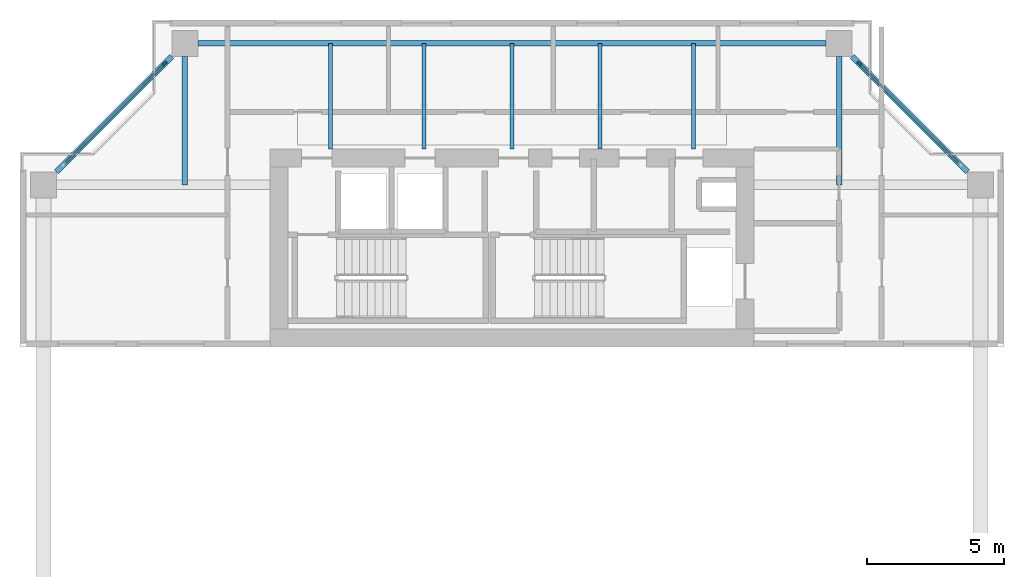
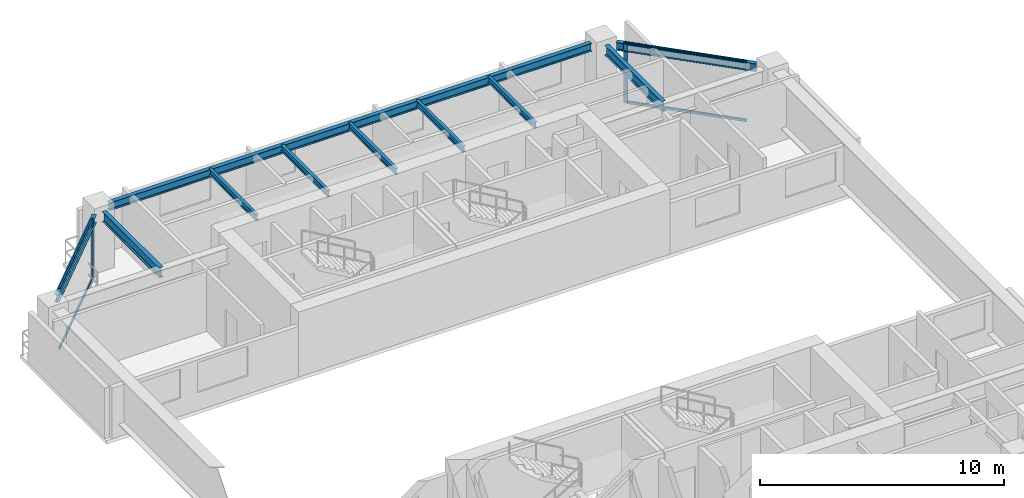
# One storey, part 5 of 12: 10 beams, 6 members, 2 elements without a shape of their own.
"""IFC4 building model written with IfcOpenShell, lengths in metres."""

from ifc_helpers import new_model, si_unit, direction, frame, origin, origin_2d, place, context, subcontext, project, spatial, rectangle, i_section, extrude, source, transform, mapped, material, layer, layer_set, material_profile, profile_set, type_object, element, aggregate, save


model = new_model("IFC4")

# Units and contexts
model_context = context("Model", 3, precision=1e-05, world=origin(), true_north=direction((0.0, 1.0)))
body_context = subcontext(model_context, "Body", "Model", "MODEL_VIEW")
ifc_project = project(units=[si_unit("LENGTHUNIT", "METRE"), si_unit("AREAUNIT", "SQUARE_METRE"), si_unit("VOLUMEUNIT", "CUBIC_METRE"), si_unit("PLANEANGLEUNIT", "RADIAN"), si_unit("MASSUNIT", "GRAM", prefix="KILO"), si_unit("THERMODYNAMICTEMPERATUREUNIT", "KELVIN"), si_unit("POWERUNIT", "WATT")], contexts=[model_context])

# Site, building, storey
site_placement = place(None, origin())
site = spatial("IfcSite", under=ifc_project, at=site_placement, CompositionType="ELEMENT")
building_placement = place(site_placement, origin())
building = spatial("IfcBuilding", under=site, at=building_placement, Name="Qiaomeng Ring Towers", CompositionType="ELEMENT")
storey_placement = place(building_placement, frame((0.0, 0.0, 169.75)))
storey = spatial("IfcBuildingStorey", under=building, at=storey_placement, Name="L49", CompositionType="ELEMENT", Elevation=169.75)

# Beams
ifc_material_1 = material(Name="Steel Q355B", Category="steel")
ifc_material_profile_1 = material_profile(ifc_material_1, i_section(OverallWidth=0.14990234375, OverallDepth=0.300048828125, WebThickness=0.006591796875, FlangeThickness=0.009033203125, FilletRadius=0.012939453125, at=origin_2d()), Name="HN 300x150x6.5x9")
ifc_profile_set_1 = profile_set([ifc_material_profile_1], Name="Steel Q355B")
beam_type_1 = type_object("IfcBeamType", Name="STR-BM-HN300", PredefinedType="JOIST", material=ifc_profile_set_1)
shared_shape_1 = source(origin(), body_context, "Body", "SweptSolid", [
    extrude(i_section(OverallWidth=0.14990234375, OverallDepth=0.300048828125, WebThickness=0.006591796875, FlangeThickness=0.009033203125, FilletRadius=0.012939453125, at=origin_2d()), origin(), (0.0, 0.0, 1.0), 3.85009765625),
])
for number, where, z_axis, x_axis, name in (
    (1, (12.39990234375, 36.199951171875, 2.85009765625), (0.0, 1.0, 0.0), (-1.0, 0.0, 0.0), "L49 beam STR-JST-L49-T1N-1"),
    (2, (15.800048828125, 36.199951171875, 2.85009765625), (0.0, 1.0, 0.0), (-1.0, 0.0, 0.0), "L49 beam STR-JST-L49-T1N-2"),
    (3, (19.0, 36.199951171875, 2.85009765625), (0.0, 1.0, 0.0), (-1.0, 0.0, 0.0), "L49 beam STR-JST-L49-T1N-3"),
    (4, (22.199951171875, 36.199951171875, 2.85009765625), (0.0, 1.0, 0.0), (-1.0, 0.0, 0.0), "L49 beam STR-JST-L49-T1N-4"),
    (5, (25.60009765625, 36.199951171875, 2.85009765625), (0.0, 1.0, 0.0), (-1.0, 0.0, 0.0), "L49 beam STR-JST-L49-T1N-5"),
):
    element("IfcBeam", number, at=place(storey_placement, frame(where, z_axis=z_axis, x_axis=x_axis)), inside=storey, type_object=beam_type_1, Name=name, PredefinedType="JOIST", context=body_context, shape_type="MappedRepresentation", body=[
        mapped(shared_shape_1, transform((0.0, 0.0, 0.0), x_axis=(1.0, 0.0, 0.0), y_axis=(0.0, 1.0, 0.0), z_axis=(0.0, 0.0, 1.0), scale=1.0)),
    ])
ifc_material_profile_2 = material_profile(ifc_material_1, i_section(OverallWidth=0.199951171875, OverallDepth=0.39990234375, WebThickness=0.008056640625, FlangeThickness=0.012939453125, FilletRadius=0.01611328125, at=origin_2d()), Name="HN 400x200x8x13")
ifc_profile_set_2 = profile_set([ifc_material_profile_2], Name="Steel Q355B")
beam_type_2 = type_object("IfcBeamType", Name="STR-BM-HN400", PredefinedType="SPANDREL", material=ifc_profile_set_2)
shared_shape_2 = source(origin(), body_context, "Body", "SweptSolid", [
    extrude(i_section(OverallWidth=0.199951171875, OverallDepth=0.39990234375, WebThickness=0.008056640625, FlangeThickness=0.012939453125, FilletRadius=0.01611328125, at=origin_2d()), origin(), (0.0, 0.0, 1.0), 22.85205078125),
])
beam_placement = place(storey_placement, frame((30.426025390625, 40.050048828125, 2.800048828125), z_axis=(-1.0, 0.0, 0.0), x_axis=(0.0, -1.0, 0.0)))
element("IfcBeam", 6, at=beam_placement, inside=storey, type_object=beam_type_2, Name="L49 beam STR-SP-L49-T1-N2-N1", PredefinedType="SPANDREL", context=body_context, shape_type="MappedRepresentation", body=[
    mapped(shared_shape_2, transform((0.0, 0.0, 0.0), x_axis=(1.0, 0.0, 0.0), y_axis=(0.0, 1.0, 0.0), z_axis=(0.0, 0.0, 1.0), scale=1.0)),
])
shared_shape_3 = source(origin(), body_context, "Body", "SweptSolid", [
    extrude(i_section(OverallWidth=0.199951171875, OverallDepth=0.39990234375, WebThickness=0.008056640625, FlangeThickness=0.012939453125, FilletRadius=0.01611328125, at=origin_2d()), origin(), (0.0, 0.0, 1.0), 5.941650390625),
])
for number, where, z_axis, x_axis, name in (
    (7, (35.57568359375, 35.374267578125, 2.800048828125), (-0.707106781187, 0.707106781187, 0.0), (-0.707106781187, -0.707106781187, 0.0), "L49 beam STR-SP-L49-T1-E4-N2"),
    (8, (6.625732421875, 39.57568359375, 2.800048828125), (-0.707106781187, -0.707106781187, 0.0), (0.707106781187, -0.707106781187, 0.0), "L49 beam STR-SP-L49-T1-N1-W4"),
):
    element("IfcBeam", number, at=place(storey_placement, frame(where, z_axis=z_axis, x_axis=x_axis)), inside=storey, type_object=beam_type_2, Name=name, PredefinedType="SPANDREL", context=body_context, shape_type="MappedRepresentation", body=[
        mapped(shared_shape_3, transform((0.0, 0.0, 0.0), x_axis=(1.0, 0.0, 0.0), y_axis=(0.0, 1.0, 0.0), z_axis=(0.0, 0.0, 1.0), scale=1.0)),
    ])
ifc_material_profile_3 = material_profile(ifc_material_1, i_section(OverallWidth=0.199951171875, OverallDepth=0.5, WebThickness=0.010009765625, FlangeThickness=0.01611328125, FilletRadius=0.02001953125, at=origin_2d()), Name="HN 500x200x10x16")
ifc_profile_set_3 = profile_set([ifc_material_profile_3], Name="Steel Q355B")
beam_type_3 = type_object("IfcBeamType", Name="STR-BM-HN500", PredefinedType="BEAM", material=ifc_profile_set_3)
shared_shape_4 = source(origin(), body_context, "Body", "SweptSolid", [
    extrude(i_section(OverallWidth=0.199951171875, OverallDepth=0.5, WebThickness=0.010009765625, FlangeThickness=0.01611328125, FilletRadius=0.02001953125, at=origin_2d()), origin(), (0.0, 0.0, 1.0), 4.676025390625),
])
for number, where, z_axis, x_axis, name in (
    (9, (7.10009765625, 39.575927734375, 2.75), (0.0, -1.0, 0.0), (1.0, 0.0, 0.0), "L49 beam STR-BM-L49-T1-RAD-N1"),
    (10, (30.89990234375, 39.575927734375, 2.75), (0.0, -1.0, 0.0), (1.0, 0.0, 0.0), "L49 beam STR-BM-L49-T1-RAD-N2"),
):
    element("IfcBeam", number, at=place(storey_placement, frame(where, z_axis=z_axis, x_axis=x_axis)), inside=storey, type_object=beam_type_3, Name=name, PredefinedType="BEAM", context=body_context, shape_type="MappedRepresentation", body=[
        mapped(shared_shape_4, transform((0.0, 0.0, 0.0), x_axis=(1.0, 0.0, 0.0), y_axis=(0.0, 1.0, 0.0), z_axis=(0.0, 0.0, 1.0), scale=1.0)),
    ])

# Curtain wall, members
ifc_material_2 = material(Name="Fluorocarbon dark-grey aluminium", Category="aluminium")
ifc_layer = layer(ifc_material_2, 0.14990234375, Name="Fluorocarbon dark-grey aluminium")
ifc_layer_set = layer_set([ifc_layer], Name="Fluorocarbon dark-grey aluminium")
curtain_wall_type = type_object("IfcCurtainWallType", Name="ARC-CW-3", PredefinedType="NOTDEFINED", material=ifc_layer_set)
curtain_wall_1_placement = place(storey_placement, origin())
curtain_wall_1 = element("IfcCurtainWall", 11, at=curtain_wall_1_placement, inside=storey, type_object=curtain_wall_type, Name="L49 Curtain Wall CW3", PredefinedType="NOTDEFINED")
ifc_material_profile_4 = material_profile(ifc_material_2, rectangle(XDim=0.06494140625, YDim=0.1298828125, at=origin_2d()), Name="ALU TRAN 65x130")
ifc_profile_set_4 = profile_set([ifc_material_profile_4], Name="Fluorocarbon dark-grey aluminium")
member_type_1 = type_object("IfcMemberType", Name="ARC-CWT-120", PredefinedType="USERDEFINED", material=ifc_profile_set_4)
shared_shape_5 = source(origin(), body_context, "Body", "SweptSolid", [
    extrude(rectangle(XDim=0.06494140625, YDim=0.1298828125, at=origin_2d()), origin(), (0.0, 0.0, 1.0), 5.12060546875),
])
member_1_placement = place(storey_placement, frame((35.285400390625, 35.66455078125, 0.032470703125), z_axis=(-0.707106781187, 0.707106781187, 0.0), x_axis=(-0.707106781187, -0.707106781187, 0.0)))
member_1 = element("IfcMember", 12, at=member_1_placement, type_object=member_type_1, Name="CW3 transom 1.1", ObjectType="TRANSOM", PredefinedType="USERDEFINED", context=body_context, shape_type="MappedRepresentation", body=[
    mapped(shared_shape_5, transform((0.0, 0.0, 0.0), x_axis=(1.0, 0.0, 0.0), y_axis=(0.0, 1.0, 0.0), z_axis=(0.0, 0.0, 1.0), scale=1.0)),
])
member_2_placement = place(storey_placement, frame((35.285400390625, 35.66455078125, 2.967529296875), z_axis=(-0.707106781187, 0.707106781187, 0.0), x_axis=(-0.707106781187, -0.707106781187, 0.0)))
member_2 = element("IfcMember", 13, at=member_2_placement, type_object=member_type_1, Name="CW3 transom 1.2", ObjectType="TRANSOM", PredefinedType="USERDEFINED", context=body_context, shape_type="MappedRepresentation", body=[
    mapped(shared_shape_5, transform((0.0, 0.0, 0.0), x_axis=(1.0, 0.0, 0.0), y_axis=(0.0, 1.0, 0.0), z_axis=(0.0, 0.0, 1.0), scale=1.0)),
])

curtain_wall_2_placement = place(storey_placement, origin())
curtain_wall_2 = element("IfcCurtainWall", 14, at=curtain_wall_2_placement, inside=storey, type_object=curtain_wall_type, Name="L49 Curtain Wall CW3", PredefinedType="NOTDEFINED")
member_3_placement = place(storey_placement, frame((6.33544921875, 39.285400390625, 0.032470703125), z_axis=(-0.707106781187, -0.707106781187, 0.0), x_axis=(0.707106781187, -0.707106781187, 0.0)))
member_3 = element("IfcMember", 15, at=member_3_placement, type_object=member_type_1, Name="CW3 transom 1.1", ObjectType="TRANSOM", PredefinedType="USERDEFINED", context=body_context, shape_type="MappedRepresentation", body=[
    mapped(shared_shape_5, transform((0.0, 0.0, 0.0), x_axis=(1.0, 0.0, 0.0), y_axis=(0.0, 1.0, 0.0), z_axis=(0.0, 0.0, 1.0), scale=1.0)),
])
member_4_placement = place(storey_placement, frame((6.33544921875, 39.285400390625, 2.967529296875), z_axis=(-0.707106781187, -0.707106781187, 0.0), x_axis=(0.707106781187, -0.707106781187, 0.0)))
member_4 = element("IfcMember", 16, at=member_4_placement, type_object=member_type_1, Name="CW3 transom 1.2", ObjectType="TRANSOM", PredefinedType="USERDEFINED", context=body_context, shape_type="MappedRepresentation", body=[
    mapped(shared_shape_5, transform((0.0, 0.0, 0.0), x_axis=(1.0, 0.0, 0.0), y_axis=(0.0, 1.0, 0.0), z_axis=(0.0, 0.0, 1.0), scale=1.0)),
])

# Member
ifc_material_profile_5 = material_profile(ifc_material_2, rectangle(XDim=0.070068359375, YDim=0.179931640625, at=origin_2d()), Name="ALU MULL 70x180")
ifc_profile_set_5 = profile_set([ifc_material_profile_5], Name="Fluorocarbon dark-grey aluminium")
member_type_2 = type_object("IfcMemberType", Name="ARC-CWM-160", PredefinedType="MULLION", material=ifc_profile_set_5)
shared_shape_6 = source(origin(), body_context, "Body", "SweptSolid", [
    extrude(rectangle(XDim=0.070068359375, YDim=0.179931640625, at=origin_2d()), origin(), (0.0, 0.0, 1.0), 3.0),
])
member_5_placement = place(storey_placement, frame((31.6396484375, 39.310302734375, 0.0), z_axis=(0.0, 0.0, 1.0), x_axis=(-0.707106781187, -0.707106781187, 0.0)))
member_5 = element("IfcMember", 17, at=member_5_placement, type_object=member_type_2, Name="CW3 mullion 2", PredefinedType="MULLION", context=body_context, shape_type="MappedRepresentation", body=[
    mapped(shared_shape_6, transform((0.0, 0.0, 0.0), x_axis=(1.0, 0.0, 0.0), y_axis=(0.0, 1.0, 0.0), z_axis=(0.0, 0.0, 1.0), scale=1.0)),
])

aggregate(curtain_wall_1, [member_5, member_1, member_2])

member_6_placement = place(storey_placement, frame((6.3603515625, 39.310302734375, 0.0), z_axis=(0.0, 0.0, 1.0), x_axis=(0.707106781187, -0.707106781187, 0.0)))
member_6 = element("IfcMember", 18, at=member_6_placement, type_object=member_type_2, Name="CW3 mullion 1", PredefinedType="MULLION", context=body_context, shape_type="MappedRepresentation", body=[
    mapped(shared_shape_6, transform((0.0, 0.0, 0.0), x_axis=(1.0, 0.0, 0.0), y_axis=(0.0, 1.0, 0.0), z_axis=(0.0, 0.0, 1.0), scale=1.0)),
])

aggregate(curtain_wall_2, [member_6, member_3, member_4])

save(model, "model.ifc")
